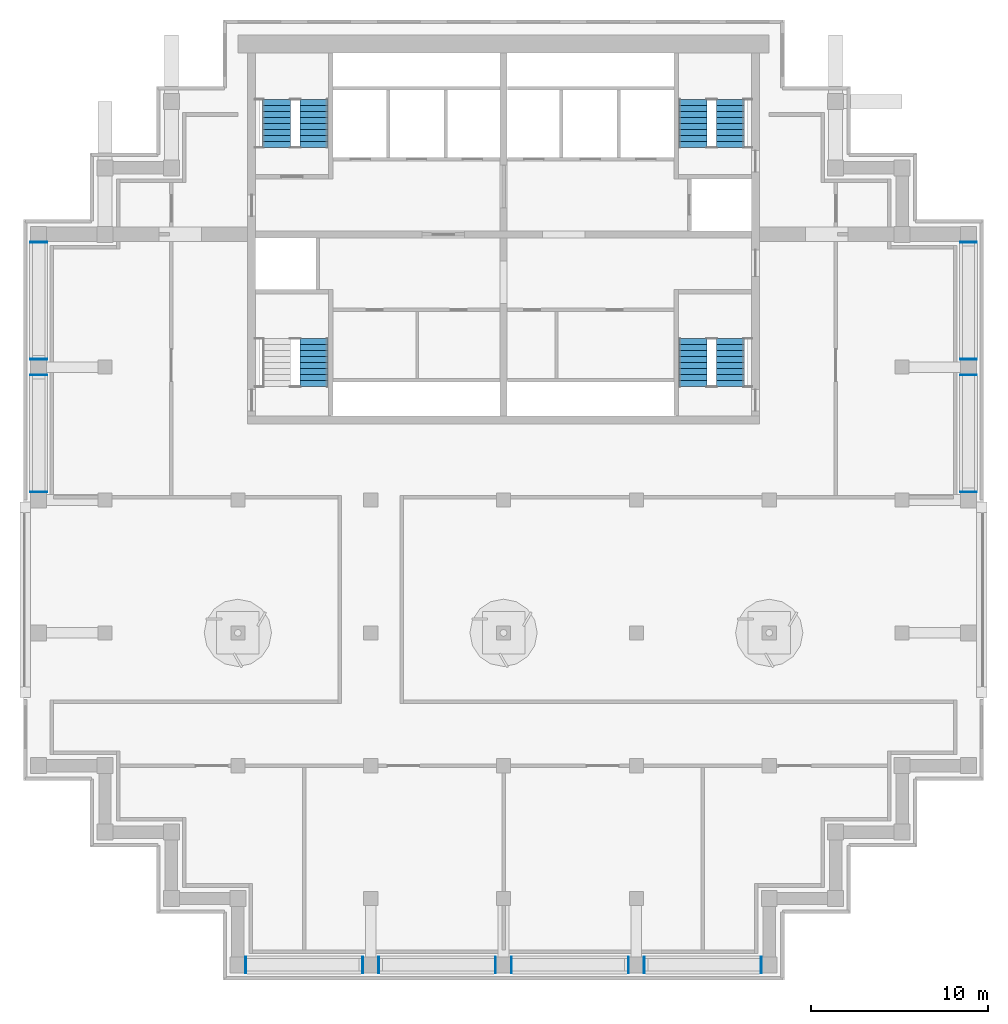
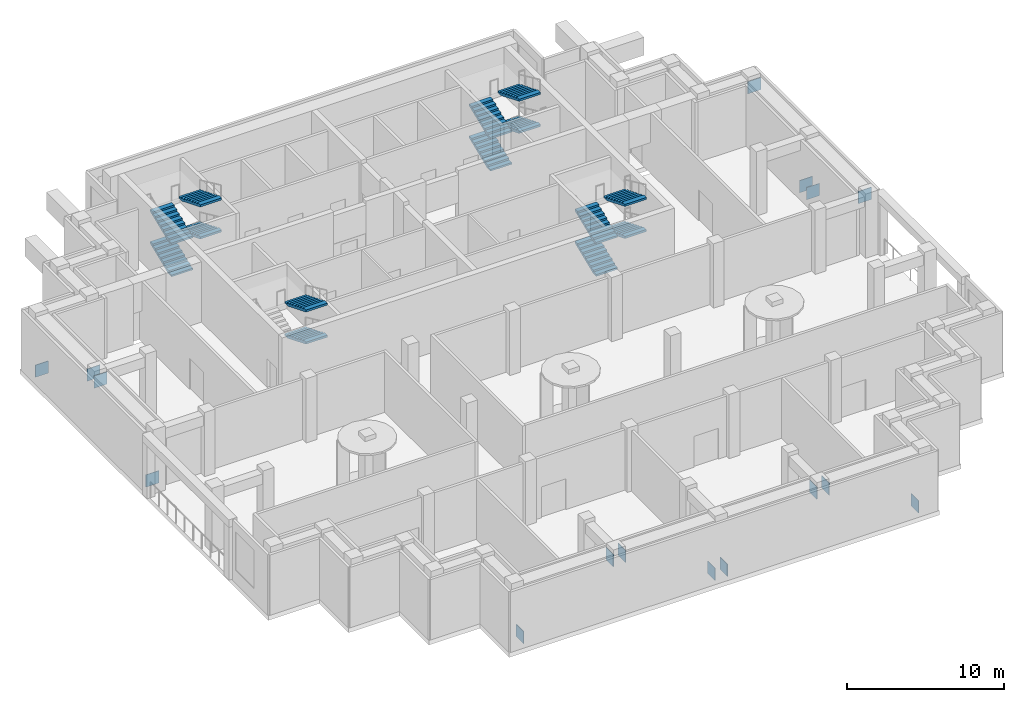
# One storey, part 5 of 8: 16 discrete accessories, 14 stair flights, 4 elements without a shape of their own.
"""IFC4 building model written with IfcOpenShell, lengths in metres."""

from ifc_helpers import new_model, si_unit, direction, frame, origin, origin_2d, place, context, subcontext, project, spatial, polyline, rectangle, outline, extrude, material, layer, layer_set, type_object, element, aggregate, save


model = new_model("IFC4")

# Units and contexts
model_context = context("Model", 3, precision=1e-05, world=origin(), true_north=direction((0.0, 1.0)))
body_context = subcontext(model_context, "Body", "Model", "MODEL_VIEW")
ifc_project = project(units=[si_unit("LENGTHUNIT", "METRE"), si_unit("AREAUNIT", "SQUARE_METRE"), si_unit("VOLUMEUNIT", "CUBIC_METRE"), si_unit("PLANEANGLEUNIT", "RADIAN"), si_unit("MASSUNIT", "GRAM", prefix="KILO")], contexts=[model_context])

# Site, building, storey
site_placement = place(None, origin())
site = spatial("IfcSite", under=ifc_project, at=site_placement, CompositionType="ELEMENT")
building_placement = place(site_placement, origin())
building = spatial("IfcBuilding", under=site, at=building_placement, Name="Pilkhan Gate Tower", CompositionType="ELEMENT")
storey_placement = place(building_placement, frame((0.0, 0.0, 253.5)))
storey = spatial("IfcBuildingStorey", under=building, at=storey_placement, Name="L66", CompositionType="ELEMENT", Elevation=253.5)

# Stair, stair flights
ifc_material_1 = material(Name="Concrete C40/50 precast", Category="concrete")
stair_type_1 = type_object("IfcStairType", Name="Stair ST1 139x340", PredefinedType="HALF_TURN_STAIR", material=ifc_material_1)
stair_1_placement = place(storey_placement, origin())
stair_1 = element("IfcStair", 1, at=stair_1_placement, inside=storey, type_object=stair_type_1, Name="Stair ST1 L66", PredefinedType="HALF_TURN_STAIR")
stair_flight_type_1 = type_object("IfcStairFlightType", Name="Stair flight ST1 139x340x9", PredefinedType="STRAIGHT", material=ifc_material_1)
stair_flight_1_placement = place(storey_placement, frame((85.68994140625, 73.89990234375, 0.0), z_axis=(0.0, 0.0, 1.0), x_axis=(0.0, 1.0, 0.0)))
stair_flight_1 = element("IfcStairFlight", 2, at=stair_flight_1_placement, type_object=stair_flight_type_1, Name="ST1 flight 1", NumberOfRisers=9, NumberOfTreads=8, PredefinedType="STRAIGHT", RiserHeight=0.138888889, TreadLength=0.34, context=body_context, shape_type="SweptSolid", body=[
    extrude(outline(polyline([(0.0, 0.0), (0.0, 0.138916015625), (0.340087890625, 0.138916015625), (0.340087890625, 0.27783203125), (0.679931640625, 0.27783203125), (0.679931640625, 0.416748046875), (1.02001953125, 0.416748046875), (1.02001953125, 0.5556640625), (1.360107421875, 0.5556640625), (1.360107421875, 0.6943359375), (1.699951171875, 0.6943359375), (1.699951171875, 0.833251953125), (2.0400390625, 0.833251953125), (2.0400390625, 0.97216796875), (2.3798828125, 0.97216796875), (2.3798828125, 1.111083984375), (2.719970703125, 1.111083984375), (2.719970703125, 1.25), (2.719970703125, 0.94921875), (0.396484375, 0.0), (0.0, 0.0)])), frame((0.0, 0.7900390625, 0.0), z_axis=(0.0, -1.0, 0.0), x_axis=(1.0, 0.0, 0.0)), (0.0, 0.0, 1.0), 1.580078125),
])
stair_flight_2_placement = place(storey_placement, frame((87.81005859375, 76.6201171875, 1.25), z_axis=(0.0, 0.0, 1.0), x_axis=(0.0, -1.0, 0.0)))
stair_flight_2 = element("IfcStairFlight", 3, at=stair_flight_2_placement, type_object=stair_flight_type_1, Name="ST1 flight 2", NumberOfRisers=9, NumberOfTreads=8, PredefinedType="STRAIGHT", RiserHeight=0.138888889, TreadLength=0.34, context=body_context, shape_type="SweptSolid", body=[
    extrude(outline(polyline([(0.0, 0.0), (0.0, 0.138916015625), (0.340087890625, 0.138916015625), (0.340087890625, 0.27783203125), (0.679931640625, 0.27783203125), (0.679931640625, 0.416748046875), (1.02001953125, 0.416748046875), (1.02001953125, 0.5556640625), (1.360107421875, 0.5556640625), (1.360107421875, 0.6943359375), (1.699951171875, 0.6943359375), (1.699951171875, 0.833251953125), (2.0400390625, 0.833251953125), (2.0400390625, 0.97216796875), (2.3798828125, 0.97216796875), (2.3798828125, 1.111083984375), (2.719970703125, 1.111083984375), (2.719970703125, 1.25), (2.719970703125, 0.94921875), (0.396484375, 0.0), (0.0, 0.0)])), frame((0.0, 0.7900390625, 0.0), z_axis=(0.0, -1.0, 0.0), x_axis=(1.0, 0.0, 0.0)), (0.0, 0.0, 1.0), 1.580078125),
])
stair_flight_3_placement = place(storey_placement, frame((85.68994140625, 73.89990234375, 2.5), z_axis=(0.0, 0.0, 1.0), x_axis=(0.0, 1.0, 0.0)))
stair_flight_3 = element("IfcStairFlight", 4, at=stair_flight_3_placement, type_object=stair_flight_type_1, Name="ST1 flight 3", NumberOfRisers=9, NumberOfTreads=8, PredefinedType="STRAIGHT", RiserHeight=0.138888889, TreadLength=0.34, context=body_context, shape_type="SweptSolid", body=[
    extrude(outline(polyline([(0.0, 0.0), (0.0, 0.138916015625), (0.340087890625, 0.138916015625), (0.340087890625, 0.27783203125), (0.679931640625, 0.27783203125), (0.679931640625, 0.416748046875), (1.02001953125, 0.416748046875), (1.02001953125, 0.5556640625), (1.360107421875, 0.5556640625), (1.360107421875, 0.6943359375), (1.699951171875, 0.6943359375), (1.699951171875, 0.833251953125), (2.0400390625, 0.833251953125), (2.0400390625, 0.97216796875), (2.3798828125, 0.97216796875), (2.3798828125, 1.111083984375), (2.719970703125, 1.111083984375), (2.719970703125, 1.25), (2.719970703125, 0.94921875), (0.396484375, 0.0), (0.0, 0.0)])), frame((0.0, 0.7900390625, 0.0), z_axis=(0.0, -1.0, 0.0), x_axis=(1.0, 0.0, 0.0)), (0.0, 0.0, 1.0), 1.580078125),
])
stair_flight_4_placement = place(storey_placement, frame((87.81005859375, 76.6201171875, 3.75), z_axis=(0.0, 0.0, 1.0), x_axis=(0.0, -1.0, 0.0)))
stair_flight_4 = element("IfcStairFlight", 5, at=stair_flight_4_placement, type_object=stair_flight_type_1, Name="ST1 flight 4", NumberOfRisers=9, NumberOfTreads=8, PredefinedType="STRAIGHT", RiserHeight=0.138888889, TreadLength=0.34, context=body_context, shape_type="SweptSolid", body=[
    extrude(outline(polyline([(0.0, 0.0), (0.0, 0.138916015625), (0.340087890625, 0.138916015625), (0.340087890625, 0.27783203125), (0.679931640625, 0.27783203125), (0.679931640625, 0.416748046875), (1.02001953125, 0.416748046875), (1.02001953125, 0.5556640625), (1.360107421875, 0.5556640625), (1.360107421875, 0.6943359375), (1.699951171875, 0.6943359375), (1.699951171875, 0.833251953125), (2.0400390625, 0.833251953125), (2.0400390625, 0.97216796875), (2.3798828125, 0.97216796875), (2.3798828125, 1.111083984375), (2.719970703125, 1.111083984375), (2.719970703125, 1.25), (2.719970703125, 0.94921875), (0.396484375, 0.0), (0.0, 0.0)])), frame((0.0, 0.7900390625, 0.0), z_axis=(0.0, -1.0, 0.0), x_axis=(1.0, 0.0, 0.0)), (0.0, 0.0, 1.0), 1.580078125),
])
aggregate(stair_1, [stair_flight_1, stair_flight_2, stair_flight_3, stair_flight_4])

stair_type_2 = type_object("IfcStairType", Name="Stair ST2 139x340", PredefinedType="HALF_TURN_STAIR", material=ifc_material_1)
stair_2_placement = place(storey_placement, origin())
stair_2 = element("IfcStair", 6, at=stair_2_placement, inside=storey, type_object=stair_type_2, Name="Stair ST2 L66", PredefinedType="HALF_TURN_STAIR")
stair_flight_type_2 = type_object("IfcStairFlightType", Name="Stair flight ST2 139x340x9", PredefinedType="STRAIGHT", material=ifc_material_1)
stair_flight_5_placement = place(storey_placement, frame((64.31005859375, 76.6201171875, 1.25), z_axis=(0.0, 0.0, 1.0), x_axis=(0.0, -1.0, 0.0)))
stair_flight_5 = element("IfcStairFlight", 7, at=stair_flight_5_placement, type_object=stair_flight_type_2, Name="ST2 flight 2", NumberOfRisers=9, NumberOfTreads=8, PredefinedType="STRAIGHT", RiserHeight=0.138888889, TreadLength=0.34, context=body_context, shape_type="SweptSolid", body=[
    extrude(outline(polyline([(0.0, 0.0), (0.0, 0.138916015625), (0.340087890625, 0.138916015625), (0.340087890625, 0.27783203125), (0.679931640625, 0.27783203125), (0.679931640625, 0.416748046875), (1.02001953125, 0.416748046875), (1.02001953125, 0.5556640625), (1.360107421875, 0.5556640625), (1.360107421875, 0.6943359375), (1.699951171875, 0.6943359375), (1.699951171875, 0.833251953125), (2.0400390625, 0.833251953125), (2.0400390625, 0.97216796875), (2.3798828125, 0.97216796875), (2.3798828125, 1.111083984375), (2.719970703125, 1.111083984375), (2.719970703125, 1.25), (2.719970703125, 0.94921875), (0.396484375, 0.0), (0.0, 0.0)])), frame((0.0, 0.7900390625, 0.0), z_axis=(0.0, -1.0, 0.0), x_axis=(1.0, 0.0, 0.0)), (0.0, 0.0, 1.0), 1.580078125),
])
stair_flight_6_placement = place(storey_placement, frame((64.31005859375, 76.6201171875, 3.75), z_axis=(0.0, 0.0, 1.0), x_axis=(0.0, -1.0, 0.0)))
stair_flight_6 = element("IfcStairFlight", 8, at=stair_flight_6_placement, type_object=stair_flight_type_2, Name="ST2 flight 4", NumberOfRisers=9, NumberOfTreads=8, PredefinedType="STRAIGHT", RiserHeight=0.138888889, TreadLength=0.34, context=body_context, shape_type="SweptSolid", body=[
    extrude(outline(polyline([(0.0, 0.0), (0.0, 0.138916015625), (0.340087890625, 0.138916015625), (0.340087890625, 0.27783203125), (0.679931640625, 0.27783203125), (0.679931640625, 0.416748046875), (1.02001953125, 0.416748046875), (1.02001953125, 0.5556640625), (1.360107421875, 0.5556640625), (1.360107421875, 0.6943359375), (1.699951171875, 0.6943359375), (1.699951171875, 0.833251953125), (2.0400390625, 0.833251953125), (2.0400390625, 0.97216796875), (2.3798828125, 0.97216796875), (2.3798828125, 1.111083984375), (2.719970703125, 1.111083984375), (2.719970703125, 1.25), (2.719970703125, 0.94921875), (0.396484375, 0.0), (0.0, 0.0)])), frame((0.0, 0.7900390625, 0.0), z_axis=(0.0, -1.0, 0.0), x_axis=(1.0, 0.0, 0.0)), (0.0, 0.0, 1.0), 1.580078125),
])
aggregate(stair_2, [stair_flight_5, stair_flight_6])

stair_type_3 = type_object("IfcStairType", Name="Stair ST3 139x340", PredefinedType="HALF_TURN_STAIR", material=ifc_material_1)
stair_3_placement = place(storey_placement, origin())
stair_3 = element("IfcStair", 9, at=stair_3_placement, inside=storey, type_object=stair_type_3, Name="Stair ST3 L66", PredefinedType="HALF_TURN_STAIR")
stair_flight_type_3 = type_object("IfcStairFlightType", Name="Stair flight ST3 139x340x9", PredefinedType="STRAIGHT", material=ifc_material_1)
stair_flight_7_placement = place(storey_placement, frame((62.18994140625, 87.39990234375, 0.0), z_axis=(0.0, 0.0, 1.0), x_axis=(0.0, 1.0, 0.0)))
stair_flight_7 = element("IfcStairFlight", 10, at=stair_flight_7_placement, type_object=stair_flight_type_3, Name="ST3 flight 1", NumberOfRisers=9, NumberOfTreads=8, PredefinedType="STRAIGHT", RiserHeight=0.138888889, TreadLength=0.34, context=body_context, shape_type="SweptSolid", body=[
    extrude(outline(polyline([(0.0, 0.0), (0.0, 0.138916015625), (0.340087890625, 0.138916015625), (0.340087890625, 0.27783203125), (0.679931640625, 0.27783203125), (0.679931640625, 0.416748046875), (1.02001953125, 0.416748046875), (1.02001953125, 0.5556640625), (1.360107421875, 0.5556640625), (1.360107421875, 0.6943359375), (1.699951171875, 0.6943359375), (1.699951171875, 0.833251953125), (2.0400390625, 0.833251953125), (2.0400390625, 0.97216796875), (2.3798828125, 0.97216796875), (2.3798828125, 1.111083984375), (2.719970703125, 1.111083984375), (2.719970703125, 1.25), (2.719970703125, 0.94921875), (0.396484375, 0.0), (0.0, 0.0)])), frame((0.0, 0.7900390625, 0.0), z_axis=(0.0, -1.0, 0.0), x_axis=(1.0, 0.0, 0.0)), (0.0, 0.0, 1.0), 1.580078125),
])
stair_flight_8_placement = place(storey_placement, frame((64.31005859375, 90.1201171875, 1.25), z_axis=(0.0, 0.0, 1.0), x_axis=(0.0, -1.0, 0.0)))
stair_flight_8 = element("IfcStairFlight", 11, at=stair_flight_8_placement, type_object=stair_flight_type_3, Name="ST3 flight 2", NumberOfRisers=9, NumberOfTreads=8, PredefinedType="STRAIGHT", RiserHeight=0.138888889, TreadLength=0.34, context=body_context, shape_type="SweptSolid", body=[
    extrude(outline(polyline([(0.0, 0.0), (0.0, 0.138916015625), (0.340087890625, 0.138916015625), (0.340087890625, 0.27783203125), (0.679931640625, 0.27783203125), (0.679931640625, 0.416748046875), (1.02001953125, 0.416748046875), (1.02001953125, 0.5556640625), (1.360107421875, 0.5556640625), (1.360107421875, 0.6943359375), (1.699951171875, 0.6943359375), (1.699951171875, 0.833251953125), (2.0400390625, 0.833251953125), (2.0400390625, 0.97216796875), (2.3798828125, 0.97216796875), (2.3798828125, 1.111083984375), (2.719970703125, 1.111083984375), (2.719970703125, 1.25), (2.719970703125, 0.94921875), (0.396484375, 0.0), (0.0, 0.0)])), frame((0.0, 0.7900390625, 0.0), z_axis=(0.0, -1.0, 0.0), x_axis=(1.0, 0.0, 0.0)), (0.0, 0.0, 1.0), 1.580078125),
])
stair_flight_9_placement = place(storey_placement, frame((62.18994140625, 87.39990234375, 2.5), z_axis=(0.0, 0.0, 1.0), x_axis=(0.0, 1.0, 0.0)))
stair_flight_9 = element("IfcStairFlight", 12, at=stair_flight_9_placement, type_object=stair_flight_type_3, Name="ST3 flight 3", NumberOfRisers=9, NumberOfTreads=8, PredefinedType="STRAIGHT", RiserHeight=0.138888889, TreadLength=0.34, context=body_context, shape_type="SweptSolid", body=[
    extrude(outline(polyline([(0.0, 0.0), (0.0, 0.138916015625), (0.340087890625, 0.138916015625), (0.340087890625, 0.27783203125), (0.679931640625, 0.27783203125), (0.679931640625, 0.416748046875), (1.02001953125, 0.416748046875), (1.02001953125, 0.5556640625), (1.360107421875, 0.5556640625), (1.360107421875, 0.6943359375), (1.699951171875, 0.6943359375), (1.699951171875, 0.833251953125), (2.0400390625, 0.833251953125), (2.0400390625, 0.97216796875), (2.3798828125, 0.97216796875), (2.3798828125, 1.111083984375), (2.719970703125, 1.111083984375), (2.719970703125, 1.25), (2.719970703125, 0.94921875), (0.396484375, 0.0), (0.0, 0.0)])), frame((0.0, 0.7900390625, 0.0), z_axis=(0.0, -1.0, 0.0), x_axis=(1.0, 0.0, 0.0)), (0.0, 0.0, 1.0), 1.580078125),
])
stair_flight_10_placement = place(storey_placement, frame((64.31005859375, 90.1201171875, 3.75), z_axis=(0.0, 0.0, 1.0), x_axis=(0.0, -1.0, 0.0)))
stair_flight_10 = element("IfcStairFlight", 13, at=stair_flight_10_placement, type_object=stair_flight_type_3, Name="ST3 flight 4", NumberOfRisers=9, NumberOfTreads=8, PredefinedType="STRAIGHT", RiserHeight=0.138888889, TreadLength=0.34, context=body_context, shape_type="SweptSolid", body=[
    extrude(outline(polyline([(0.0, 0.0), (0.0, 0.138916015625), (0.340087890625, 0.138916015625), (0.340087890625, 0.27783203125), (0.679931640625, 0.27783203125), (0.679931640625, 0.416748046875), (1.02001953125, 0.416748046875), (1.02001953125, 0.5556640625), (1.360107421875, 0.5556640625), (1.360107421875, 0.6943359375), (1.699951171875, 0.6943359375), (1.699951171875, 0.833251953125), (2.0400390625, 0.833251953125), (2.0400390625, 0.97216796875), (2.3798828125, 0.97216796875), (2.3798828125, 1.111083984375), (2.719970703125, 1.111083984375), (2.719970703125, 1.25), (2.719970703125, 0.94921875), (0.396484375, 0.0), (0.0, 0.0)])), frame((0.0, 0.7900390625, 0.0), z_axis=(0.0, -1.0, 0.0), x_axis=(1.0, 0.0, 0.0)), (0.0, 0.0, 1.0), 1.580078125),
])
aggregate(stair_3, [stair_flight_7, stair_flight_8, stair_flight_9, stair_flight_10])

stair_type_4 = type_object("IfcStairType", Name="Stair ST4 139x340", PredefinedType="HALF_TURN_STAIR", material=ifc_material_1)
stair_4_placement = place(storey_placement, origin())
stair_4 = element("IfcStair", 14, at=stair_4_placement, inside=storey, type_object=stair_type_4, Name="Stair ST4 L66", PredefinedType="HALF_TURN_STAIR")
stair_flight_type_4 = type_object("IfcStairFlightType", Name="Stair flight ST4 139x340x9", PredefinedType="STRAIGHT", material=ifc_material_1)
stair_flight_11_placement = place(storey_placement, frame((85.68994140625, 87.39990234375, 0.0), z_axis=(0.0, 0.0, 1.0), x_axis=(0.0, 1.0, 0.0)))
stair_flight_11 = element("IfcStairFlight", 15, at=stair_flight_11_placement, type_object=stair_flight_type_4, Name="ST4 flight 1", NumberOfRisers=9, NumberOfTreads=8, PredefinedType="STRAIGHT", RiserHeight=0.138888889, TreadLength=0.34, context=body_context, shape_type="SweptSolid", body=[
    extrude(outline(polyline([(0.0, 0.0), (0.0, 0.138916015625), (0.340087890625, 0.138916015625), (0.340087890625, 0.27783203125), (0.679931640625, 0.27783203125), (0.679931640625, 0.416748046875), (1.02001953125, 0.416748046875), (1.02001953125, 0.5556640625), (1.360107421875, 0.5556640625), (1.360107421875, 0.6943359375), (1.699951171875, 0.6943359375), (1.699951171875, 0.833251953125), (2.0400390625, 0.833251953125), (2.0400390625, 0.97216796875), (2.3798828125, 0.97216796875), (2.3798828125, 1.111083984375), (2.719970703125, 1.111083984375), (2.719970703125, 1.25), (2.719970703125, 0.94921875), (0.396484375, 0.0), (0.0, 0.0)])), frame((0.0, 0.7900390625, 0.0), z_axis=(0.0, -1.0, 0.0), x_axis=(1.0, 0.0, 0.0)), (0.0, 0.0, 1.0), 1.580078125),
])
stair_flight_12_placement = place(storey_placement, frame((87.81005859375, 90.1201171875, 1.25), z_axis=(0.0, 0.0, 1.0), x_axis=(0.0, -1.0, 0.0)))
stair_flight_12 = element("IfcStairFlight", 16, at=stair_flight_12_placement, type_object=stair_flight_type_4, Name="ST4 flight 2", NumberOfRisers=9, NumberOfTreads=8, PredefinedType="STRAIGHT", RiserHeight=0.138888889, TreadLength=0.34, context=body_context, shape_type="SweptSolid", body=[
    extrude(outline(polyline([(0.0, 0.0), (0.0, 0.138916015625), (0.340087890625, 0.138916015625), (0.340087890625, 0.27783203125), (0.679931640625, 0.27783203125), (0.679931640625, 0.416748046875), (1.02001953125, 0.416748046875), (1.02001953125, 0.5556640625), (1.360107421875, 0.5556640625), (1.360107421875, 0.6943359375), (1.699951171875, 0.6943359375), (1.699951171875, 0.833251953125), (2.0400390625, 0.833251953125), (2.0400390625, 0.97216796875), (2.3798828125, 0.97216796875), (2.3798828125, 1.111083984375), (2.719970703125, 1.111083984375), (2.719970703125, 1.25), (2.719970703125, 0.94921875), (0.396484375, 0.0), (0.0, 0.0)])), frame((0.0, 0.7900390625, 0.0), z_axis=(0.0, -1.0, 0.0), x_axis=(1.0, 0.0, 0.0)), (0.0, 0.0, 1.0), 1.580078125),
])
stair_flight_13_placement = place(storey_placement, frame((85.68994140625, 87.39990234375, 2.5), z_axis=(0.0, 0.0, 1.0), x_axis=(0.0, 1.0, 0.0)))
stair_flight_13 = element("IfcStairFlight", 17, at=stair_flight_13_placement, type_object=stair_flight_type_4, Name="ST4 flight 3", NumberOfRisers=9, NumberOfTreads=8, PredefinedType="STRAIGHT", RiserHeight=0.138888889, TreadLength=0.34, context=body_context, shape_type="SweptSolid", body=[
    extrude(outline(polyline([(0.0, 0.0), (0.0, 0.138916015625), (0.340087890625, 0.138916015625), (0.340087890625, 0.27783203125), (0.679931640625, 0.27783203125), (0.679931640625, 0.416748046875), (1.02001953125, 0.416748046875), (1.02001953125, 0.5556640625), (1.360107421875, 0.5556640625), (1.360107421875, 0.6943359375), (1.699951171875, 0.6943359375), (1.699951171875, 0.833251953125), (2.0400390625, 0.833251953125), (2.0400390625, 0.97216796875), (2.3798828125, 0.97216796875), (2.3798828125, 1.111083984375), (2.719970703125, 1.111083984375), (2.719970703125, 1.25), (2.719970703125, 0.94921875), (0.396484375, 0.0), (0.0, 0.0)])), frame((0.0, 0.7900390625, 0.0), z_axis=(0.0, -1.0, 0.0), x_axis=(1.0, 0.0, 0.0)), (0.0, 0.0, 1.0), 1.580078125),
])
stair_flight_14_placement = place(storey_placement, frame((87.81005859375, 90.1201171875, 3.75), z_axis=(0.0, 0.0, 1.0), x_axis=(0.0, -1.0, 0.0)))
stair_flight_14 = element("IfcStairFlight", 18, at=stair_flight_14_placement, type_object=stair_flight_type_4, Name="ST4 flight 4", NumberOfRisers=9, NumberOfTreads=8, PredefinedType="STRAIGHT", RiserHeight=0.138888889, TreadLength=0.34, context=body_context, shape_type="SweptSolid", body=[
    extrude(outline(polyline([(0.0, 0.0), (0.0, 0.138916015625), (0.340087890625, 0.138916015625), (0.340087890625, 0.27783203125), (0.679931640625, 0.27783203125), (0.679931640625, 0.416748046875), (1.02001953125, 0.416748046875), (1.02001953125, 0.5556640625), (1.360107421875, 0.5556640625), (1.360107421875, 0.6943359375), (1.699951171875, 0.6943359375), (1.699951171875, 0.833251953125), (2.0400390625, 0.833251953125), (2.0400390625, 0.97216796875), (2.3798828125, 0.97216796875), (2.3798828125, 1.111083984375), (2.719970703125, 1.111083984375), (2.719970703125, 1.25), (2.719970703125, 0.94921875), (0.396484375, 0.0), (0.0, 0.0)])), frame((0.0, 0.7900390625, 0.0), z_axis=(0.0, -1.0, 0.0), x_axis=(1.0, 0.0, 0.0)), (0.0, 0.0, 1.0), 1.580078125),
])
aggregate(stair_4, [stair_flight_11, stair_flight_12, stair_flight_13, stair_flight_14])

# Discrete accessories
ifc_material_2 = material(Name="Steel S355", Category="steel")
ifc_layer = layer(ifc_material_2, 0.0400390625)
ifc_layer_set = layer_set([ifc_layer], Name="Belt diagonal gusset plate GP40 S355")
discrete_accessory_type = type_object("IfcDiscreteAccessoryType", Name="Belt diagonal gusset plate GP40 S355", PredefinedType="ANCHORPLATE", material=ifc_layer_set)
for number, where, z_axis, x_axis, name in (
    (19, (89.550048828125, 41.25, 0.02490234375), (0.0, 0.0, 1.0), (1.0, 0.0, 0.0), "Belt diagonal gusset plate BP49 L66"),
    (20, (82.949951171875, 41.25, 3.72509765625), (0.0, 0.0, 1.0), (1.0, 0.0, 0.0), "Belt diagonal gusset plate BP50 L66"),
    (21, (75.449951171875, 41.25, 0.02490234375), (0.0, 0.0, 1.0), (1.0, 0.0, 0.0), "Belt diagonal gusset plate BP51 L66"),
    (22, (82.050048828125, 41.25, 3.72509765625), (0.0, 0.0, 1.0), (1.0, 0.0, 0.0), "Belt diagonal gusset plate BP52 L66"),
    (23, (74.550048828125, 41.25, 0.02490234375), (0.0, 0.0, 1.0), (1.0, 0.0, 0.0), "Belt diagonal gusset plate BP53 L66"),
    (24, (67.949951171875, 41.25, 3.72509765625), (0.0, 0.0, 1.0), (1.0, 0.0, 0.0), "Belt diagonal gusset plate BP54 L66"),
    (25, (60.449951171875, 41.25, 0.02490234375), (0.0, 0.0, 1.0), (1.0, 0.0, 0.0), "Belt diagonal gusset plate BP55 L66"),
    (26, (67.050048828125, 41.25, 3.72509765625), (0.0, 0.0, 1.0), (1.0, 0.0, 0.0), "Belt diagonal gusset plate BP56 L66"),
    (27, (48.75, 67.949951171875, 0.02490234375), (0.0, 0.0, 1.0), (0.0, 1.0, 0.0), "Belt diagonal gusset plate BP57 L66"),
    (28, (48.75, 74.550048828125, 3.72509765625), (0.0, 0.0, 1.0), (0.0, 1.0, 0.0), "Belt diagonal gusset plate BP58 L66"),
    (29, (48.75, 82.050048828125, 0.02490234375), (0.0, 0.0, 1.0), (0.0, 1.0, 0.0), "Belt diagonal gusset plate BP59 L66"),
    (30, (48.75, 75.449951171875, 3.72509765625), (0.0, 0.0, 1.0), (0.0, 1.0, 0.0), "Belt diagonal gusset plate BP60 L66"),
    (31, (101.25, 75.449951171875, 0.02490234375), (0.0, 0.0, 1.0), (0.0, 1.0, 0.0), "Belt diagonal gusset plate BP61 L66"),
    (32, (101.25, 82.050048828125, 3.72509765625), (0.0, 0.0, 1.0), (0.0, 1.0, 0.0), "Belt diagonal gusset plate BP62 L66"),
    (33, (101.25, 74.550048828125, 0.02490234375), (0.0, 0.0, 1.0), (0.0, 1.0, 0.0), "Belt diagonal gusset plate BP63 L66"),
    (34, (101.25, 67.949951171875, 3.72509765625), (0.0, 0.0, 1.0), (0.0, 1.0, 0.0), "Belt diagonal gusset plate BP64 L66"),
):
    element("IfcDiscreteAccessory", number, at=place(storey_placement, frame(where, z_axis=z_axis, x_axis=x_axis)), inside=storey, type_object=discrete_accessory_type, Name=name, PredefinedType="ANCHORPLATE", context=body_context, shape_type="SweptSolid", body=[
        extrude(rectangle(XDim=0.0400390625, YDim=0.949951171875, at=origin_2d()), origin(), (0.0, 0.0, 1.0), 0.949951171875),
    ])

save(model, "model.ifc")
